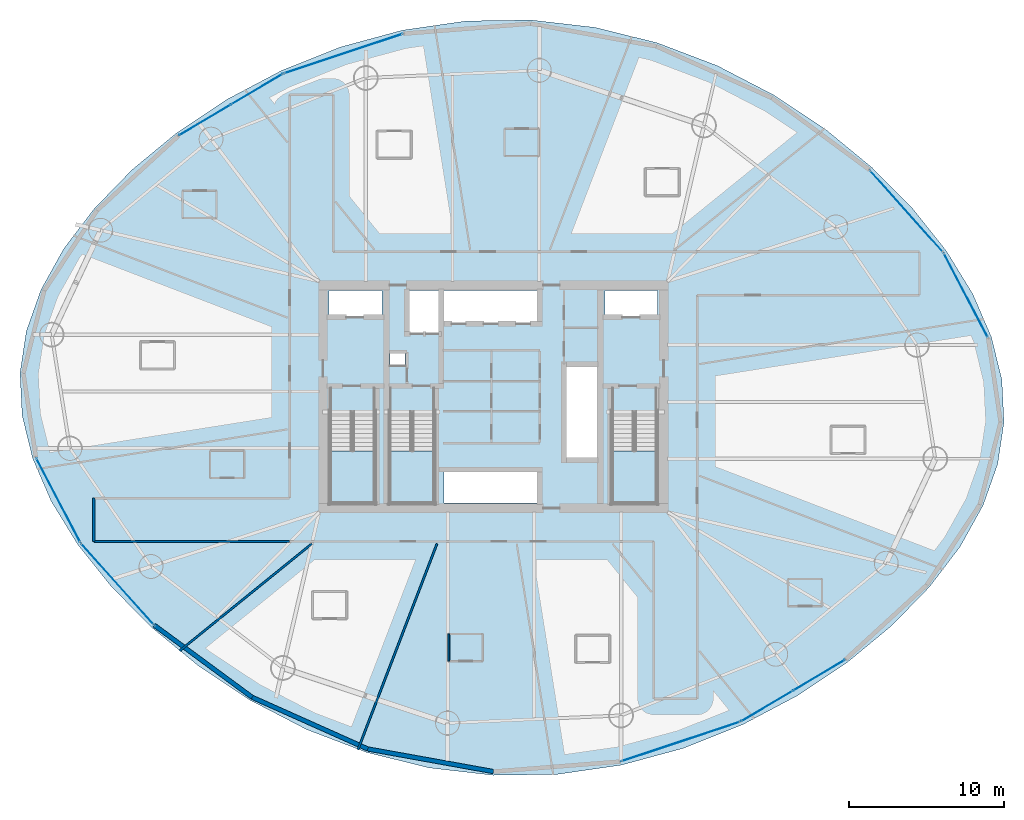
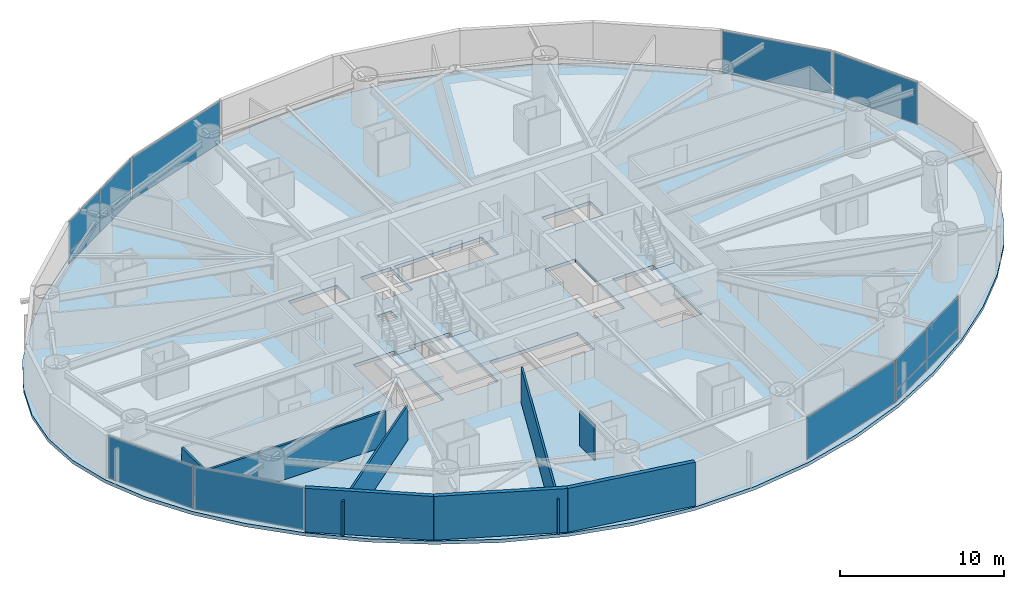
# One storey, part 17 of 25: 14 plates, 8 walls, 4 slabs, 11 elements without a shape of their own.
"""IFC4 building model written with IfcOpenShell, lengths in metres."""

from ifc_helpers import new_model, si_unit, direction, frame, frame_2d, origin, origin_2d, place, context, subcontext, project, spatial, polyline, rectangle, outline, extrude, material, layer, layer_set, type_object, element, aggregate, save


model = new_model("IFC4")

# Units and contexts
model_context = context("Model", 3, precision=1e-05, world=origin(), true_north=direction((0.0, 1.0)))
body_context = subcontext(model_context, "Body", "Model", "MODEL_VIEW")
ifc_project = project(units=[si_unit("LENGTHUNIT", "METRE"), si_unit("AREAUNIT", "SQUARE_METRE"), si_unit("VOLUMEUNIT", "CUBIC_METRE"), si_unit("PLANEANGLEUNIT", "RADIAN"), si_unit("MASSUNIT", "GRAM", prefix="KILO")], contexts=[model_context])

# Site, building, storey
site_placement = place(None, origin())
site = spatial("IfcSite", under=ifc_project, at=site_placement, CompositionType="ELEMENT")
building_placement = place(site_placement, origin())
building = spatial("IfcBuilding", under=site, at=building_placement, Name="Bramvorn Convention Spire", CompositionType="ELEMENT")
storey_placement = place(building_placement, frame((0.0, 0.0, 48.39990234375)))
storey = spatial("IfcBuildingStorey", under=building, at=storey_placement, Name="L09", CompositionType="ELEMENT", Elevation=48.39990234375)

# Curtain wall, plate
ifc_material_1 = material(Name="Anodised Bronze Unitised Curtain Wall", Category="aluminium")
ifc_layer_1 = layer(ifc_material_1, 0.179931640625)
ifc_layer_set_1 = layer_set([ifc_layer_1], Name="Anodised Bronze Unitised Curtain Wall - CW-HTL-FRIT")
curtain_wall_type = type_object("IfcCurtainWallType", Name="CW-HTL-FRIT", PredefinedType="USERDEFINED", material=ifc_layer_set_1)
curtain_wall_1_placement = place(storey_placement, origin())
curtain_wall_1 = element("IfcCurtainWall", 1, at=curtain_wall_1_placement, inside=storey, type_object=curtain_wall_type, Name="L09 fritted glass curtain wall 02", ObjectType="UNITISED CURTAIN WALL", PredefinedType="USERDEFINED")
ifc_material_2 = material(Name="Laminated Low-E Glass (Triple IGU Bronze Ceramic Frit 35%)", Category="glass")
ifc_layer_2 = layer(ifc_material_2, 0.035888671875)
ifc_layer_set_2 = layer_set([ifc_layer_2], Name="Laminated Low-E Glass (Triple IGU Bronze Ceramic Frit 35%) - PNL-IGU-1")
plate_type = type_object("IfcPlateType", Name="PNL-IGU-1", PredefinedType="CURTAIN_PANEL", material=ifc_layer_set_2)
plate_1_placement = place(storey_placement, frame((68.490234375, 32.558837890625, 0.06005859375), z_axis=(0.0, 0.0, 1.0), x_axis=(0.464399736294, -0.885625702501, 0.0)))
plate_1 = element("IfcPlate", 2, at=plate_1_placement, type_object=plate_type, Name="CW2 panel 1.1", PredefinedType="CURTAIN_PANEL", context=body_context, shape_type="SweptSolid", body=[
    extrude(rectangle(XDim=6.092041015625, YDim=0.028076171875, at=origin_2d()), origin(), (0.0, 0.0, 1.0), 3.1298828125),
])
aggregate(curtain_wall_1, [plate_1])

curtain_wall_2_placement = place(storey_placement, origin())
curtain_wall_2 = element("IfcCurtainWall", 3, at=curtain_wall_2_placement, inside=storey, type_object=curtain_wall_type, Name="L09 fritted glass curtain wall 03", ObjectType="UNITISED CURTAIN WALL", PredefinedType="USERDEFINED")
plate_2_placement = place(storey_placement, frame((64.66796875, 37.97265625, 0.06005859375), z_axis=(0.0, 0.0, 1.0), x_axis=(0.666360959973, -0.745629312074, 0.0)))
plate_2 = element("IfcPlate", 4, at=plate_2_placement, type_object=plate_type, Name="CW2 panel 1.1", PredefinedType="CURTAIN_PANEL", context=body_context, shape_type="SweptSolid", body=[
    extrude(rectangle(XDim=7.022705078125, YDim=0.028076171875, at=origin_2d()), origin(), (0.0, 0.0, 1.0), 3.1298828125),
])
aggregate(curtain_wall_2, [plate_2])

curtain_wall_3_placement = place(storey_placement, origin())
curtain_wall_3 = element("IfcCurtainWall", 5, at=curtain_wall_3_placement, inside=storey, type_object=curtain_wall_type, Name="L09 fritted glass curtain wall 08", ObjectType="UNITISED CURTAIN WALL", PredefinedType="USERDEFINED")
plate_3_placement = place(storey_placement, frame((28.307373046875, 48.145263671875, 0.06005859375), z_axis=(0.0, 0.0, 1.0), x_axis=(0.949005906194, 0.315258290945, 0.0)))
plate_3 = element("IfcPlate", 6, at=plate_3_placement, type_object=plate_type, Name="CW2 panel 1.1", PredefinedType="CURTAIN_PANEL", context=body_context, shape_type="SweptSolid", body=[
    extrude(rectangle(XDim=8.05078125, YDim=0.028076171875, at=origin_2d()), origin(), (0.0, 0.0, 1.0), 3.1298828125),
])
aggregate(curtain_wall_3, [plate_3])

# Curtain wall, plates
curtain_wall_4_placement = place(storey_placement, origin())
curtain_wall_4 = element("IfcCurtainWall", 7, at=curtain_wall_4_placement, inside=storey, type_object=curtain_wall_type, Name="L09 fritted glass curtain wall 09", ObjectType="UNITISED CURTAIN WALL", PredefinedType="USERDEFINED")
plate_4_placement = place(storey_placement, frame((19.38232421875, 43.864013671875, 0.06005859375), z_axis=(0.0, 0.0, 1.0), x_axis=(0.860145936231, 0.510048005962, 0.0)))
plate_4 = element("IfcPlate", 8, at=plate_4_placement, type_object=plate_type, Name="CW2 panel 1.1", PredefinedType="CURTAIN_PANEL", context=body_context, shape_type="SweptSolid", body=[
    extrude(rectangle(XDim=3.83251953125, YDim=0.028076171875, at=origin_2d()), origin(), (0.0, 0.0, 1.0), 0.81005859375),
])
plate_5_placement = place(storey_placement, frame((19.38232421875, 43.864013671875, 0.93017578125), z_axis=(0.0, 0.0, 1.0), x_axis=(0.860145936231, 0.510048005962, 0.0)))
plate_5 = element("IfcPlate", 9, at=plate_5_placement, type_object=plate_type, Name="CW2 panel 1.2", PredefinedType="CURTAIN_PANEL", context=body_context, shape_type="SweptSolid", body=[
    extrude(rectangle(XDim=3.83251953125, YDim=0.028076171875, at=origin_2d()), origin(), (0.0, 0.0, 1.0), 2.260009765625),
])
plate_6_placement = place(storey_placement, frame((22.73046875, 45.849365234375, 0.06005859375), z_axis=(0.0, 0.0, 1.0), x_axis=(0.860145936231, 0.510048005962, 0.0)))
plate_6 = element("IfcPlate", 10, at=plate_6_placement, type_object=plate_type, Name="CW2 panel 2.1", PredefinedType="CURTAIN_PANEL", context=body_context, shape_type="SweptSolid", body=[
    extrude(rectangle(XDim=3.83251953125, YDim=0.028076171875, at=origin_2d()), origin(), (0.0, 0.0, 1.0), 0.81005859375),
])
plate_7_placement = place(storey_placement, frame((22.73046875, 45.849365234375, 0.93017578125), z_axis=(0.0, 0.0, 1.0), x_axis=(0.860145936231, 0.510048005962, 0.0)))
plate_7 = element("IfcPlate", 11, at=plate_7_placement, type_object=plate_type, Name="CW2 panel 2.2", PredefinedType="CURTAIN_PANEL", context=body_context, shape_type="SweptSolid", body=[
    extrude(rectangle(XDim=3.83251953125, YDim=0.028076171875, at=origin_2d()), origin(), (0.0, 0.0, 1.0), 2.260009765625),
])
aggregate(curtain_wall_4, [plate_4, plate_5, plate_6, plate_7])

# Curtain wall, plate
curtain_wall_5_placement = place(storey_placement, origin())
curtain_wall_5 = element("IfcCurtainWall", 12, at=curtain_wall_5_placement, inside=storey, type_object=curtain_wall_type, Name="L09 fritted glass curtain wall 14", ObjectType="UNITISED CURTAIN WALL", PredefinedType="USERDEFINED")
plate_8_placement = place(storey_placement, frame((9.90673828125, 19.32177734375, 0.06005859375), z_axis=(0.0, 0.0, 1.0), x_axis=(-0.464393730959, 0.885628851521, 0.0)))
plate_8 = element("IfcPlate", 13, at=plate_8_placement, type_object=plate_type, Name="CW2 panel 1.1", PredefinedType="CURTAIN_PANEL", context=body_context, shape_type="SweptSolid", body=[
    extrude(rectangle(XDim=6.092041015625, YDim=0.028076171875, at=origin_2d()), origin(), (0.0, 0.0, 1.0), 3.1298828125),
])
aggregate(curtain_wall_5, [plate_8])

curtain_wall_6_placement = place(storey_placement, origin())
curtain_wall_6 = element("IfcCurtainWall", 14, at=curtain_wall_6_placement, inside=storey, type_object=curtain_wall_type, Name="L09 fritted glass curtain wall 15", ObjectType="UNITISED CURTAIN WALL", PredefinedType="USERDEFINED")
plate_9_placement = place(storey_placement, frame((13.72900390625, 13.908203125, 0.06005859375), z_axis=(0.0, 0.0, 1.0), x_axis=(-0.666368743384, 0.74562235605, 0.0)))
plate_9 = element("IfcPlate", 15, at=plate_9_placement, type_object=plate_type, Name="CW2 panel 1.1", PredefinedType="CURTAIN_PANEL", context=body_context, shape_type="SweptSolid", body=[
    extrude(rectangle(XDim=7.02294921875, YDim=0.028076171875, at=origin_2d()), origin(), (0.0, 0.0, 1.0), 3.1298828125),
])
aggregate(curtain_wall_6, [plate_9])

curtain_wall_7_placement = place(storey_placement, origin())
curtain_wall_7 = element("IfcCurtainWall", 16, at=curtain_wall_7_placement, inside=storey, type_object=curtain_wall_type, Name="L09 fritted glass curtain wall 20", ObjectType="UNITISED CURTAIN WALL", PredefinedType="USERDEFINED")
plate_10_placement = place(storey_placement, frame((50.089599609375, 3.7353515625, 0.06005859375), z_axis=(0.0, 0.0, 1.0), x_axis=(-0.949007122557, -0.315254629366, 0.0)))
plate_10 = element("IfcPlate", 17, at=plate_10_placement, type_object=plate_type, Name="CW2 panel 1.1", PredefinedType="CURTAIN_PANEL", context=body_context, shape_type="SweptSolid", body=[
    extrude(rectangle(XDim=8.05078125, YDim=0.028076171875, at=origin_2d()), origin(), (0.0, 0.0, 1.0), 3.1298828125),
])
aggregate(curtain_wall_7, [plate_10])

# Curtain wall, plates
curtain_wall_8_placement = place(storey_placement, origin())
curtain_wall_8 = element("IfcCurtainWall", 18, at=curtain_wall_8_placement, inside=storey, type_object=curtain_wall_type, Name="L09 fritted glass curtain wall 21", ObjectType="UNITISED CURTAIN WALL", PredefinedType="USERDEFINED")
plate_11_placement = place(storey_placement, frame((59.0146484375, 8.0166015625, 0.06005859375), z_axis=(0.0, 0.0, 1.0), x_axis=(-0.860142620042, -0.510053598347, 0.0)))
plate_11 = element("IfcPlate", 19, at=plate_11_placement, type_object=plate_type, Name="CW2 panel 1.1", PredefinedType="CURTAIN_PANEL", context=body_context, shape_type="SweptSolid", body=[
    extrude(rectangle(XDim=3.83251953125, YDim=0.028076171875, at=origin_2d()), origin(), (0.0, 0.0, 1.0), 0.81005859375),
])
plate_12_placement = place(storey_placement, frame((59.0146484375, 8.0166015625, 0.93017578125), z_axis=(0.0, 0.0, 1.0), x_axis=(-0.860142620042, -0.510053598347, 0.0)))
plate_12 = element("IfcPlate", 20, at=plate_12_placement, type_object=plate_type, Name="CW2 panel 1.2", PredefinedType="CURTAIN_PANEL", context=body_context, shape_type="SweptSolid", body=[
    extrude(rectangle(XDim=3.83251953125, YDim=0.028076171875, at=origin_2d()), origin(), (0.0, 0.0, 1.0), 2.260009765625),
])
plate_13_placement = place(storey_placement, frame((55.666748046875, 6.03125, 0.06005859375), z_axis=(0.0, 0.0, 1.0), x_axis=(-0.860142620042, -0.510053598347, 0.0)))
plate_13 = element("IfcPlate", 21, at=plate_13_placement, type_object=plate_type, Name="CW2 panel 2.1", PredefinedType="CURTAIN_PANEL", context=body_context, shape_type="SweptSolid", body=[
    extrude(rectangle(XDim=3.83251953125, YDim=0.028076171875, at=origin_2d()), origin(), (0.0, 0.0, 1.0), 0.81005859375),
])
plate_14_placement = place(storey_placement, frame((55.666748046875, 6.03125, 0.93017578125), z_axis=(0.0, 0.0, 1.0), x_axis=(-0.860142620042, -0.510053598347, 0.0)))
plate_14 = element("IfcPlate", 22, at=plate_14_placement, type_object=plate_type, Name="CW2 panel 2.2", PredefinedType="CURTAIN_PANEL", context=body_context, shape_type="SweptSolid", body=[
    extrude(rectangle(XDim=3.83251953125, YDim=0.028076171875, at=origin_2d()), origin(), (0.0, 0.0, 1.0), 2.260009765625),
])
aggregate(curtain_wall_8, [plate_11, plate_12, plate_13, plate_14])

# Stair, slab
ifc_material_3 = material(Name="Concrete C40/50 Precast Stair", Category="concrete")
stair_type = type_object("IfcStairType", Name="ST-TOWER-1550", PredefinedType="HALF_TURN_STAIR", material=ifc_material_3)
stair_1_placement = place(storey_placement, origin())
stair_1 = element("IfcStair", 23, at=stair_1_placement, inside=storey, type_object=stair_type, Name="L09 Protected Exit Stair ST1", PredefinedType="HALF_TURN_STAIR")
ifc_material_4 = material(Name="Concrete C40/50 Stair Landing", Category="concrete")
ifc_layer_3 = layer(ifc_material_4, 0.219970703125)
ifc_layer_set_3 = layer_set([ifc_layer_3], Name="Concrete C40/50 Stair Landing - SLB-STAIR-LANDING")
slab_type_1 = type_object("IfcSlabType", Name="SLB-STAIR-LANDING", PredefinedType="LANDING", material=ifc_layer_set_3)
slab_1_placement = place(storey_placement, frame((0.0, 0.0, 1.550048828125)))
slab_1 = element("IfcSlab", 24, at=slab_1_placement, type_object=slab_type_1, Name="ST1 landing 1", PredefinedType="LANDING", context=body_context, shape_type="SweptSolid", body=[
    extrude(outline(polyline([(27.449951171875, 22.485107421875), (27.449951171875, 19.10009765625), (30.35009765625, 19.10009765625), (30.35009765625, 22.485107421875), (27.449951171875, 22.485107421875)])), origin(), (0.0, 0.0, 1.0), 0.199951171875),
])
aggregate(stair_1, [slab_1])

stair_2_placement = place(storey_placement, origin())
stair_2 = element("IfcStair", 25, at=stair_2_placement, inside=storey, type_object=stair_type, Name="L09 Protected Exit Stair ST2", PredefinedType="HALF_TURN_STAIR")
slab_2_placement = place(storey_placement, frame((0.0, 0.0, 1.550048828125)))
slab_2 = element("IfcSlab", 26, at=slab_2_placement, type_object=slab_type_1, Name="ST2 landing 1", PredefinedType="LANDING", context=body_context, shape_type="SweptSolid", body=[
    extrude(outline(polyline([(45.64990234375, 22.485107421875), (45.64990234375, 19.10009765625), (48.550048828125, 19.10009765625), (48.550048828125, 22.485107421875), (45.64990234375, 22.485107421875)])), origin(), (0.0, 0.0, 1.0), 0.199951171875),
])
aggregate(stair_2, [slab_2])

stair_3_placement = place(storey_placement, origin())
stair_3 = element("IfcStair", 27, at=stair_3_placement, inside=storey, type_object=stair_type, Name="L09 Protected Exit Stair ST3", PredefinedType="HALF_TURN_STAIR")
slab_3_placement = place(storey_placement, frame((0.0, 0.0, 1.550048828125)))
slab_3 = element("IfcSlab", 28, at=slab_3_placement, type_object=slab_type_1, Name="ST3 landing 1", PredefinedType="LANDING", context=body_context, shape_type="SweptSolid", body=[
    extrude(outline(polyline([(31.300048828125, 22.485107421875), (31.300048828125, 19.10009765625), (34.199951171875, 19.10009765625), (34.199951171875, 22.485107421875), (31.300048828125, 22.485107421875)])), origin(), (0.0, 0.0, 1.0), 0.199951171875),
])
aggregate(stair_3, [slab_3])

# Slab
ifc_material_5 = material(Name="Concrete C50/60", Category="concrete")
ifc_layer_4 = layer(ifc_material_5, 0.25)
ifc_layer_set_4 = layer_set([ifc_layer_4], Name="Concrete C50/60 - SLB-Z1-250")
slab_type_2 = type_object("IfcSlabType", Name="SLB-Z1-250", PredefinedType="FLOOR", material=ifc_layer_set_4)
slab_4_placement = place(storey_placement, frame((0.0, 0.0, -0.25)))
element("IfcSlab", 29, at=slab_4_placement, inside=storey, type_object=slab_type_2, Name="L09 tower floor slab", PredefinedType="FLOOR", context=body_context, shape_type="SweptSolid", body=[
    extrude(outline(polyline([(70.959228515625, 24.359130859375), (70.82275390625, 27.09130859375), (70.147705078125, 29.850341796875), (68.947265625, 32.62890625), (67.243408203125, 35.405517578125), (65.06591796875, 38.142333984375), (62.451416015625, 40.783203125), (59.443115234375, 43.256103515625), (56.0908203125, 45.4794921875), (52.44970703125, 47.368896484375), (48.579345703125, 48.844482421875), (44.544189453125, 49.84228515625), (40.412109375, 50.318115234375), (36.253173828125, 50.2548828125), (32.138916015625, 49.6630859375), (28.14111328125, 48.578857421875), (24.330322265625, 47.060791015625), (20.773681640625, 45.181396484375), (17.534912109375, 43.019287109375), (14.6708984375, 40.651123046875), (12.232421875, 38.144287109375), (10.26123046875, 35.55029296875), (8.790771484375, 32.90478515625), (7.844970703125, 30.2265625), (7.437744140625, 27.521484375), (7.57421875, 24.789306640625), (8.24951171875, 22.0302734375), (9.44970703125, 19.251708984375), (11.153564453125, 16.47509765625), (13.331298828125, 13.73828125), (15.94580078125, 11.097412109375), (18.953857421875, 8.62451171875), (22.30615234375, 6.40087890625), (25.947265625, 4.511962890625), (29.817626953125, 3.0361328125), (33.852783203125, 2.03857421875), (37.98486328125, 1.5625), (42.143798828125, 1.625732421875), (46.25830078125, 2.217529296875), (50.255859375, 3.3017578125), (54.06689453125, 4.81982421875), (57.623291015625, 6.699462890625), (60.862060546875, 8.861572265625), (63.72607421875, 11.2294921875), (66.164794921875, 13.736328125), (68.1357421875, 16.330078125), (69.606201171875, 18.9755859375), (70.552001953125, 21.654052734375), (70.959228515625, 24.359130859375)]), holes=[polyline([(27.449951171875, 25.050048828125), (27.449951171875, 19.10009765625), (30.35009765625, 19.10009765625), (30.35009765625, 25.050048828125), (27.449951171875, 25.050048828125)]), polyline([(45.64990234375, 25.050048828125), (45.64990234375, 19.10009765625), (48.550048828125, 19.10009765625), (48.550048828125, 25.050048828125), (45.64990234375, 25.050048828125)]), polyline([(31.300048828125, 25.050048828125), (31.300048828125, 19.10009765625), (34.199951171875, 19.10009765625), (34.199951171875, 25.050048828125), (31.300048828125, 25.050048828125)]), polyline([(27.39990234375, 31.219970703125), (30.800048828125, 31.219970703125), (30.800048828125, 32.85009765625), (27.39990234375, 32.85009765625), (27.39990234375, 31.219970703125)]), polyline([(45.199951171875, 31.219970703125), (48.60009765625, 31.219970703125), (48.60009765625, 32.85009765625), (45.199951171875, 32.85009765625), (45.199951171875, 31.219970703125)]), polyline([(32.449951171875, 30.14990234375), (34.56005859375, 30.14990234375), (34.56005859375, 32.85009765625), (32.449951171875, 32.85009765625), (32.449951171875, 30.14990234375)]), polyline([(34.800048828125, 30.800048828125), (40.97998046875, 30.800048828125), (40.97998046875, 32.85009765625), (34.800048828125, 32.85009765625), (34.800048828125, 30.800048828125)]), polyline([(34.800048828125, 19.14990234375), (40.97998046875, 19.14990234375), (40.97998046875, 21.199951171875), (34.800048828125, 21.199951171875), (34.800048828125, 19.14990234375)]), polyline([(42.6201171875, 22.0), (44.75, 22.0), (44.75, 28.0), (42.6201171875, 28.0), (42.6201171875, 22.0)]), polyline([(31.320068359375, 28.02001953125), (32.280029296875, 28.02001953125), (32.280029296875, 28.820068359375), (31.320068359375, 28.820068359375), (31.320068359375, 28.02001953125)])]), origin(), (0.0, 0.0, 1.0), 0.25),
])

# Walls
ifc_material_6 = material(Name="Precast Concrete C40/50 with Bronze Terracotta Rainscreen", Category="masonry")
ifc_layer_5 = layer(ifc_material_6, 0.300048828125)
ifc_layer_set_5 = layer_set([ifc_layer_5], Name="Precast Concrete C40/50 with Bronze Terracotta Rainscreen - WL-EXT-BRONZE-300")
wall_type_1 = type_object("IfcWallType", Name="WL-EXT-BRONZE-300", PredefinedType="SOLIDWALL", material=ifc_layer_set_5)
wall_1_placement = place(storey_placement, frame((22.42578125, 6.593505859375, 0.0), z_axis=(0.0, 0.0, 1.0), x_axis=(-0.805234930247, 0.592955906547, 0.0)))
element("IfcWall", 30, at=wall_1_placement, inside=storey, type_object=wall_type_1, Name="L09 expressed bronze Gothic lancet pier wall 16", PredefinedType="SOLIDWALL", context=body_context, shape_type="SweptSolid", body=[
    extrude(rectangle(XDim=7.8447265625, YDim=0.280029296875, at=frame_2d((3.92236328125, 0.0))), origin(), (0.0, 0.0, 1.0), 3.25),
])
wall_2_placement = place(storey_placement, frame((29.8857421875, 3.26025390625, 0.0), z_axis=(0.0, 0.0, 1.0), x_axis=(-0.913005158839, 0.407948011311, 0.0)))
element("IfcWall", 31, at=wall_2_placement, inside=storey, type_object=wall_type_1, Name="L09 expressed bronze Gothic lancet pier wall 17", PredefinedType="SOLIDWALL", context=body_context, shape_type="SweptSolid", body=[
    extrude(rectangle(XDim=8.170654296875, YDim=0.280029296875, at=frame_2d((4.08544921875, 0.0))), origin(), (0.0, 0.0, 1.0), 3.25),
])
wall_3_placement = place(storey_placement, frame((37.99658203125, 1.7998046875, 0.0), z_axis=(0.0, 0.0, 1.0), x_axis=(-0.984172785639, 0.177211534636, 0.0)))
element("IfcWall", 32, at=wall_3_placement, inside=storey, type_object=wall_type_1, Name="L09 expressed bronze Gothic lancet pier wall 18", PredefinedType="SOLIDWALL", context=body_context, shape_type="SweptSolid", body=[
    extrude(rectangle(XDim=8.2412109375, YDim=0.280029296875, at=frame_2d((4.12060546875, 0.0))), origin(), (0.0, 0.0, 1.0), 3.25),
])
ifc_material_7 = material(Name="Lightweight En-Suite & Wet-Wall Partition", Category="gypsum")
ifc_layer_6 = layer(ifc_material_7, 0.110107421875)
ifc_layer_set_6 = layer_set([ifc_layer_6], Name="Lightweight En-Suite & Wet-Wall Partition - WL-PART-110")
wall_type_2 = type_object("IfcWallType", Name="WL-PART-110", PredefinedType="PARTITIONING", material=ifc_layer_set_6)
wall_4_placement = place(storey_placement, frame((35.109375, 8.924072265625, 0.0), z_axis=(0.0, 0.0, 1.0), x_axis=(0.0, 1.0, 0.0)))
element("IfcWall", 33, at=wall_4_placement, inside=storey, type_object=wall_type_2, Name="Hotel Suite 0909 en-suite west wall", PredefinedType="PARTITIONING", context=body_context, shape_type="SweptSolid", body=[
    extrude(rectangle(XDim=1.760009765625, YDim=0.110107421875, at=frame_2d((0.8798828125, 0.0))), origin(), (0.0, 0.0, 1.0), 2.60009765625),
])
ifc_material_8 = material(Name="Metal-Stud Demountable Office Partition", Category="gypsum")
ifc_layer_7 = layer(ifc_material_8, 0.1298828125)
ifc_layer_set_7 = layer_set([ifc_layer_7], Name="Metal-Stud Demountable Office Partition - WL-PART-130")
wall_type_3 = type_object("IfcWallType", Name="WL-PART-130", PredefinedType="PARTITIONING", material=ifc_layer_set_7)
wall_5_placement = place(storey_placement, frame((26.28076171875, 16.510009765625, 0.0), z_axis=(0.0, 0.0, 1.0), x_axis=(-0.777143021666, -0.629324021372, 0.0)))
element("IfcWall", 34, at=wall_5_placement, inside=storey, type_object=wall_type_3, Name="L09 Guestroom demising wall 8", PredefinedType="PARTITIONING", context=body_context, shape_type="SweptSolid", body=[
    extrude(rectangle(XDim=10.998046875, YDim=0.1298828125, at=frame_2d((5.4990234375, 0.0))), origin(), (0.0, 0.0, 1.0), 2.60009765625),
])
wall_6_placement = place(storey_placement, frame((34.357177734375, 16.510009765625, 0.0), z_axis=(0.0, 0.0, 1.0), x_axis=(-0.358367757611, -0.933580500174, 0.0)))
element("IfcWall", 35, at=wall_6_placement, inside=storey, type_object=wall_type_3, Name="L09 Guestroom demising wall 9", PredefinedType="PARTITIONING", context=body_context, shape_type="SweptSolid", body=[
    extrude(rectangle(XDim=14.239013671875, YDim=0.1298828125, at=frame_2d((7.11962890625, 0.0))), origin(), (0.0, 0.0, 1.0), 2.60009765625),
])
ifc_material_9 = material(Name="Acoustic Metal-Stud Tenant/Corridor Partition", Category="gypsum")
ifc_layer_8 = layer(ifc_material_9, 0.14990234375)
ifc_layer_set_8 = layer_set([ifc_layer_8], Name="Acoustic Metal-Stud Tenant/Corridor Partition - WL-PART-150")
wall_type_4 = type_object("IfcWallType", Name="WL-PART-150", PredefinedType="PARTITIONING", material=ifc_layer_set_8)
wall_7_placement = place(storey_placement, frame((12.206298828125, 16.64990234375, 0.0), z_axis=(0.0, 0.0, 1.0), x_axis=(1.0, 0.0, 0.0)))
element("IfcWall", 36, at=wall_7_placement, inside=storey, type_object=wall_type_4, Name="L09 SW pinwheel wing south wall", PredefinedType="PARTITIONING", context=body_context, shape_type="SweptSolid", body=[
    extrude(rectangle(XDim=12.643798828125, YDim=0.14990234375, at=frame_2d((6.32177734375, 0.0))), origin(), (0.0, 0.0, 1.0), 2.60009765625),
])
wall_8_placement = place(storey_placement, frame((12.206298828125, 16.64990234375, 0.0), z_axis=(0.0, 0.0, 1.0), x_axis=(0.0, 1.0, 0.0)))
element("IfcWall", 37, at=wall_8_placement, inside=storey, type_object=wall_type_4, Name="L09 SW pinwheel end wall", PredefinedType="PARTITIONING", context=body_context, shape_type="SweptSolid", body=[
    extrude(rectangle(XDim=2.800048828125, YDim=0.14990234375, at=frame_2d((1.39990234375, 0.0))), origin(), (0.0, 0.0, 1.0), 2.60009765625),
])

save(model, "model.ifc")
